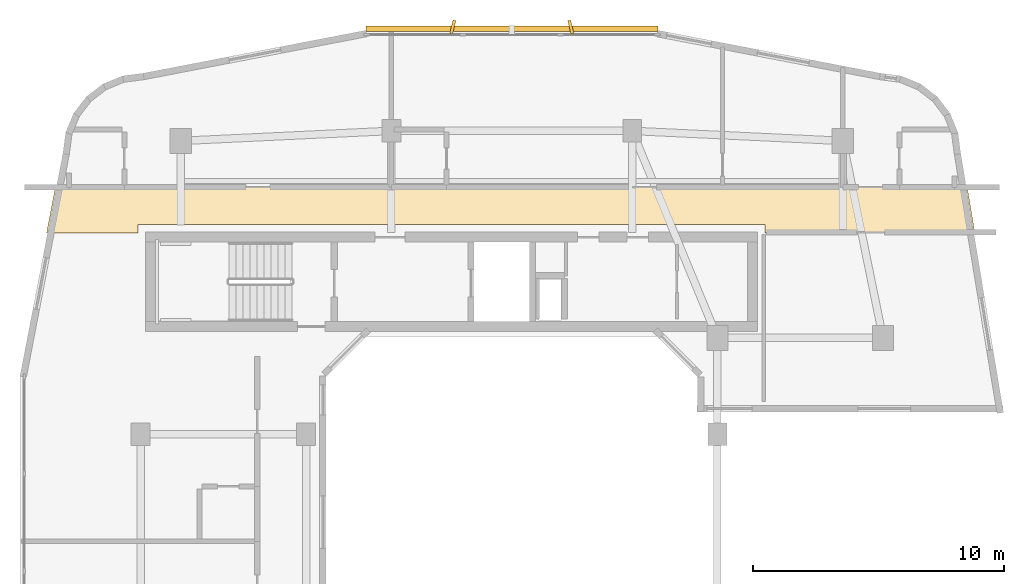
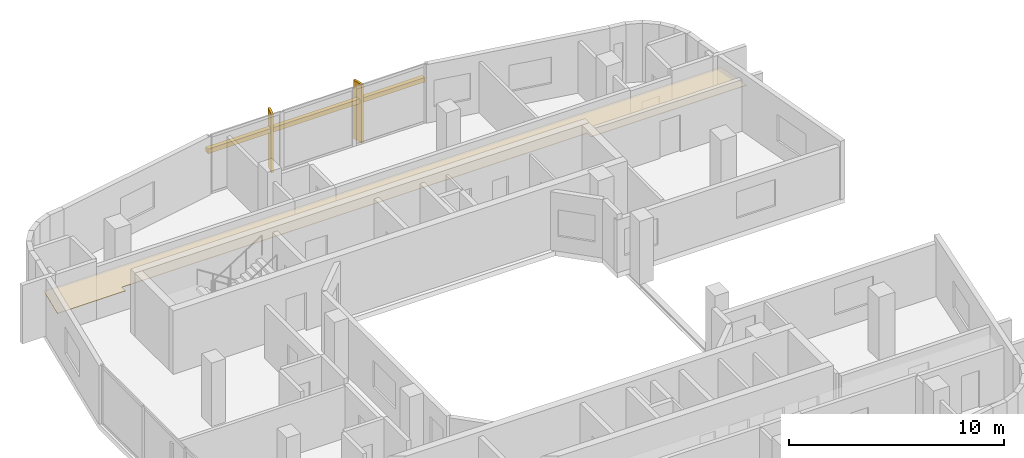
# One storey, part 12 of 12: 3 shading devices, 1 covering.
"""IFC4 building model written with IfcOpenShell, lengths in metres."""

from ifc_helpers import new_model, si_unit, derived_unit, direction, frame, origin, origin_2d, place, context, subcontext, project, spatial, polyline, rectangle, outline, extrude, material, layer, layer_set, type_object, element, save


model = new_model("IFC4")

# Units and contexts
model_context = context("Model", 3, precision=1e-05, world=origin(), true_north=direction((0.0, 1.0)))
body_context = subcontext(model_context, "Body", "Model", "MODEL_VIEW")
ifc_project = project(units=[si_unit("LENGTHUNIT", "METRE"), si_unit("AREAUNIT", "SQUARE_METRE"), si_unit("VOLUMEUNIT", "CUBIC_METRE"), si_unit("PLANEANGLEUNIT", "RADIAN"), si_unit("MASSUNIT", "GRAM", prefix="KILO"), derived_unit("THERMALTRANSMITTANCEUNIT", [(si_unit("POWERUNIT", "WATT"), 1), (si_unit("LENGTHUNIT", "METRE"), -2), (si_unit("THERMODYNAMICTEMPERATUREUNIT", "KELVIN"), -1)])], contexts=[model_context])

# Site, building, storey
site_placement = place(None, origin())
site = spatial("IfcSite", under=ifc_project, at=site_placement, CompositionType="ELEMENT")
building_placement = place(site_placement, origin())
building = spatial("IfcBuilding", under=site, at=building_placement, Name="Kivonza Crest Hotel", CompositionType="ELEMENT")
storey_placement = place(building_placement, frame((0.0, 0.0, 181.10009765625)))
storey = spatial("IfcBuildingStorey", under=building, at=storey_placement, Name="L49", CompositionType="ELEMENT", Elevation=181.10009765625)

# Covering
ifc_material_1 = material(Name="Moisture-resistant gypsum plasterboard ceiling", Category="gypsum")
ifc_layer = layer(ifc_material_1, 0.030029296875)
ifc_layer_set = layer_set([ifc_layer], Name="Moisture-resistant gypsum plasterboard ceiling")
covering_type = type_object("IfcCoveringType", Name="CV-CEIL-GYP", PredefinedType="CEILING", material=ifc_layer_set)
covering_placement = place(storey_placement, frame((0.0, 0.0, 2.449951171875)))
element("IfcCovering", 1, at=covering_placement, inside=storey, type_object=covering_type, Name="L49 Hotel North Guest Corridor suspended ceiling", PredefinedType="CEILING", context=body_context, shape_type="SweptSolid", body=[
    extrude(outline(polyline([(2.806884765625, 38.389892578125), (2.447021484375, 36.52001953125), (6.10009765625, 36.52001953125), (6.10009765625, 36.860107421875), (31.10009765625, 36.860107421875), (31.10009765625, 36.52001953125), (39.465087890625, 36.52001953125), (39.156982421875, 38.389892578125), (2.806884765625, 38.389892578125)])), origin(), (0.0, 0.0, 1.0), 0.030029296875),
])

# Shading devices
ifc_material_2 = material(Name="Kiln-fired Nairobi red-ochre terracotta", Category="masonry")
shading_device_type_1 = type_object("IfcShadingDeviceType", Name="SH-BAGUETTE-300", PredefinedType="USERDEFINED", material=ifc_material_2)
shading_device_placement = place(storey_placement, frame((21.0, 44.679931640625, 2.19384765625), z_axis=(0.0, 0.0, 1.0), x_axis=(-1.0, 0.0, 0.0)))
element("IfcShadingDevice", 2, at=shading_device_placement, inside=storey, type_object=shading_device_type_1, Name="L49 terracotta baguette screen CW-T1-L49-36", ObjectType="BAGUETTE", PredefinedType="USERDEFINED", context=body_context, shape_type="SweptSolid", body=[
    extrude(rectangle(XDim=11.639892578125, YDim=0.219970703125, at=origin_2d()), origin(), (0.0, 0.0, 1.0), 0.260009765625),
])
ifc_material_3 = material(Name="Kiln-fired terracotta over extruded aluminium spine", Category="masonry")
shading_device_type_2 = type_object("IfcShadingDeviceType", Name="SH-FIN-550", PredefinedType="USERDEFINED", material=ifc_material_3)
for number, where, z_axis, x_axis, name in (
    (3, (23.35205078125, 44.739990234375, 0.0), (0.0, 0.0, 1.0), (-0.970295726276, -0.2419218956, 0.0), "L49 vertical solar shading fin CW-T1-L49-36-1"),
    (4, (18.64794921875, 44.739990234375, 0.0), (0.0, 0.0, 1.0), (-0.970295726276, 0.2419218956, 0.0), "L49 vertical solar shading fin CW-T1-L49-36-2"),
):
    element("IfcShadingDevice", number, at=place(storey_placement, frame(where, z_axis=z_axis, x_axis=x_axis)), inside=storey, type_object=shading_device_type_2, Name=name, ObjectType="FIN", PredefinedType="USERDEFINED", context=body_context, shape_type="SweptSolid", body=[
        extrude(rectangle(XDim=0.1201171875, YDim=0.550048828125, at=origin_2d()), origin(), (0.0, 0.0, 1.0), 3.320068359375),
    ])

save(model, "model.ifc")
